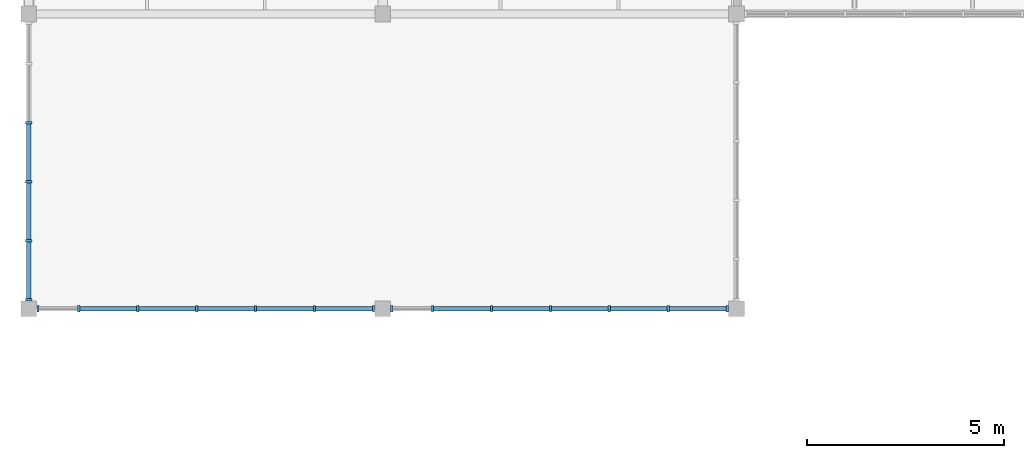
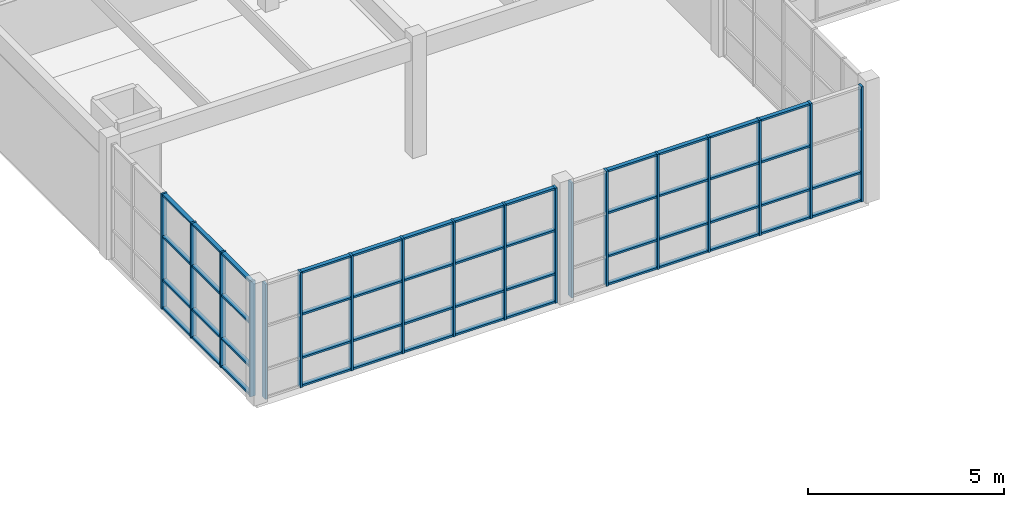
# One storey, part 24 of 81: 68 members, 3 elements without a shape of their own.
"""IFC4 building model written with IfcOpenShell, lengths in metres."""

import ifcopenshell
import ifcopenshell.guid

model = None  # the IFC model being written
_history = None  # IfcOwnerHistory: only IFC2X3 demands one
_inside = {}  # id of a spatial element -> (the spatial element, [elements in it])
_under = {}  # id of a project, library or spatial element -> (it, [spatial elements below it])
_declared = {}  # id of a project -> (the project, [libraries it declares])
_typed = {}  # id of a type object -> (the type object, [elements of that type])
_made_of = {}  # id of a material, layer set ... -> (it, [elements and type objects made of it])


def new_model(schema):
    """Start an empty IFC model of exactly this schema.

    Asked for "IFC4X3", IfcOpenShell would pick the latest addendum, in which some entities
    have other attributes; the version numbers below select the first issue.
    IFC2X3 requires an IfcOwnerHistory on every rooted entity: one is made here for all.
    """
    global model, _history
    if schema == "IFC4X3":
        model = ifcopenshell.file(schema_version=(4, 3, 0, 0))
    else:
        model = ifcopenshell.file(schema=schema)
    _inside.clear()
    _under.clear()
    _declared.clear()
    _typed.clear()
    _made_of.clear()
    _history = None
    if model.schema == "IFC2X3":
        org = make("IfcOrganization", Name="unknown")
        user = make(
            "IfcPersonAndOrganization",
            ThePerson=make("IfcPerson", FamilyName="unknown"),
            TheOrganization=org,
        )
        app = make(
            "IfcApplication",
            ApplicationDeveloper=org,
            Version="unknown",
            ApplicationFullName="unknown",
            ApplicationIdentifier="unknown",
        )
        _history = make(
            "IfcOwnerHistory",
            OwningUser=user,
            OwningApplication=app,
            ChangeAction="ADDED",
            CreationDate=0,
        )
    return model


def make(cls, **values):
    """One entity of the class cls with the attributes given. An attribute that is None is left unset."""
    return model.create_entity(
        cls, **{name: value for name, value in values.items() if value is not None}
    )


def rooted(cls, **values):
    """An entity with a GlobalId (a new one), such as an element, a storey or a relation."""
    return make(cls, GlobalId=ifcopenshell.guid.new(), OwnerHistory=_history, **values)


def si_unit(unit_type, name, prefix=None):
    """IfcSIUnit, for example si_unit("LENGTHUNIT", "METRE", prefix="MILLI")."""
    return make("IfcSIUnit", UnitType=unit_type, Prefix=prefix, Name=name)


def assignment(units):
    """IfcUnitAssignment: the units of a project."""
    return None if units is None else make("IfcUnitAssignment", Units=units)


def point(xyz):
    """IfcCartesianPoint."""
    return None if xyz is None else make("IfcCartesianPoint", Coordinates=xyz)


def direction(xyz):
    """IfcDirection."""
    return None if xyz is None else make("IfcDirection", DirectionRatios=xyz)


def frame(location, z_axis=None, x_axis=None):
    """IfcAxis2Placement3D, a coordinate frame: its origin and axes. An axis left out is left unset."""
    return make(
        "IfcAxis2Placement3D",
        Location=point(location),
        Axis=direction(z_axis),
        RefDirection=direction(x_axis),
    )


def frame_2d(location, x_axis=None):
    """IfcAxis2Placement2D, a coordinate frame in the plane: its origin and x axis."""
    return make(
        "IfcAxis2Placement2D", Location=point(location), RefDirection=direction(x_axis)
    )


def origin():
    """The frame at (0, 0, 0) with its axes left unset."""
    return frame((0.0, 0.0, 0.0))


def origin_2d():
    """The frame at (0, 0) in the plane with its x axis left unset."""
    return frame_2d((0.0, 0.0))


def place(relative_to, where):
    """IfcLocalPlacement: puts the frame where relative to a parent placement (None: the world)."""
    return make(
        "IfcLocalPlacement", PlacementRelTo=relative_to, RelativePlacement=where
    )


def context(
    kind, dimensions, precision=None, world=None, true_north=None, identifier=None
):
    """IfcGeometricRepresentationContext, for example the 3D "Model" context."""
    return make(
        "IfcGeometricRepresentationContext",
        ContextIdentifier=identifier,
        ContextType=kind,
        CoordinateSpaceDimension=dimensions,
        Precision=precision,
        WorldCoordinateSystem=world,
        TrueNorth=true_north,
    )


def subcontext(parent, identifier, kind, view, scale=None):
    """IfcGeometricRepresentationSubContext, for example "Body" below "Model"."""
    return make(
        "IfcGeometricRepresentationSubContext",
        ContextIdentifier=identifier,
        ContextType=kind,
        ParentContext=parent,
        TargetScale=scale,
        TargetView=view,
    )


def project(units=None, contexts=None):
    """IfcProject with its units and contexts."""
    return rooted(
        "IfcProject",
        Name="project",
        RepresentationContexts=contexts,
        UnitsInContext=assignment(units),
    )


def spatial(cls, under=None, at=None, **own):
    """A site, building, storey or space (cls), placed at a placement, below another one or the project."""
    s = rooted(cls, ObjectPlacement=at, **own)
    if under is not None:
        _under.setdefault(under.id(), (under, []))[1].append(s)
    return s


def profile(cls, at=None, kind="AREA", **sizes):
    """A parametric profile (cls). Its sizes go by their IFC names, for example OverallWidth=200.0."""
    return make(cls, ProfileType=kind, Position=at, **sizes)


def rectangle(**sizes):
    """IfcRectangleProfileDef."""
    return profile("IfcRectangleProfileDef", **sizes)


def extrude(swept, where, along, depth):
    """IfcExtrudedAreaSolid: the profile swept, set in the frame where, extruded along a direction by depth."""
    return make(
        "IfcExtrudedAreaSolid",
        SweptArea=swept,
        Position=where,
        ExtrudedDirection=direction(along),
        Depth=depth,
    )


def shape(context_of_items, identifier, shape_type, items):
    """IfcShapeRepresentation: the items that make up one representation, for example the "Body"."""
    return make(
        "IfcShapeRepresentation",
        ContextOfItems=context_of_items,
        RepresentationIdentifier=identifier,
        RepresentationType=shape_type,
        Items=items,
    )


def material(Name=None, Category=None):
    """IfcMaterial."""
    return make("IfcMaterial", Name=Name, Category=Category)


def layer(
    of_material, thickness, ventilated=None, Name=None, Category=None, Priority=None
):
    """IfcMaterialLayer: one layer of a wall or slab, of a material (None: an air gap)."""
    return make(
        "IfcMaterialLayer",
        Material=of_material,
        LayerThickness=thickness,
        IsVentilated=ventilated,
        Name=Name,
        Category=Category,
        Priority=Priority,
    )


def layer_set(layers, Name=None):
    """IfcMaterialLayerSet."""
    return make("IfcMaterialLayerSet", MaterialLayers=layers, LayerSetName=Name)


def material_profile(
    of_material, cross_section, Name=None, Category=None, Priority=None
):
    """IfcMaterialProfile: a cross section and its material."""
    return make(
        "IfcMaterialProfile",
        Name=Name,
        Material=of_material,
        Profile=cross_section,
        Priority=Priority,
        Category=Category,
    )


def profile_set(profiles, Name=None, composite=None):
    """IfcMaterialProfileSet."""
    return make(
        "IfcMaterialProfileSet",
        Name=Name,
        MaterialProfiles=profiles,
        CompositeProfile=composite,
    )


def made_of(thing, what):
    """Note that an element or type object is made of a material, layer set ...; save() writes the relation."""
    if what is not None:
        _made_of.setdefault(what.id(), (what, []))[1].append(thing)
    return thing


def type_object(cls, material=None, **own):
    """A type object (cls), such as IfcWallType, which elements share."""
    return made_of(rooted(cls, **own), material)


def element(
    cls,
    number,
    at=None,
    inside=None,
    cuts=None,
    type_object=None,
    material=None,
    context=None,
    identifier="Body",
    shape_type=None,
    held_by="IfcProductDefinitionShape",
    body=None,
    shapes=None,
    **own,
):
    """One element of the class cls, such as IfcWall. Its Tag is "e" and its number.

    at: its placement. inside: the storey or other place that contains it. cuts: it is an
    opening in that element (IfcRelVoidsElement). A single representation is given by context,
    identifier, shape_type and body (its items); several are given by shapes. held_by: the class
    of the entity that holds the representations. save() writes the other relations.
    """
    e = rooted(cls, Tag="e%d" % number, ObjectPlacement=at, **own)
    if body is not None:
        shapes = [shape(context, identifier, shape_type, body)]
    if shapes is not None:
        e.Representation = make(held_by, Representations=shapes)
    if inside is not None:
        _inside.setdefault(inside.id(), (inside, []))[1].append(e)
    if cuts is not None:
        rooted(
            "IfcRelVoidsElement", RelatingBuildingElement=cuts, RelatedOpeningElement=e
        )
    if type_object is not None:
        _typed.setdefault(type_object.id(), (type_object, []))[1].append(e)
    return made_of(e, material)


def aggregate(whole, parts):
    """IfcRelAggregates: a whole, such as a stair, and the parts it consists of."""
    return rooted("IfcRelAggregates", RelatingObject=whole, RelatedObjects=parts)


def save(model, path):
    """Write the relations noted so far, then the file.

    IfcRelAggregates (storeys below a building ...), IfcRelContainedInSpatialStructure (elements
    in a storey), IfcRelDefinesByType, IfcRelAssociatesMaterial and IfcRelDeclares: one each for
    every whole, place, type object, material and project.
    """
    for whole, parts in _under.values():
        aggregate(whole, parts)
    for where, things in _inside.values():
        rooted(
            "IfcRelContainedInSpatialStructure",
            RelatedElements=things,
            RelatingStructure=where,
        )
    for kind, things in _typed.values():
        rooted("IfcRelDefinesByType", RelatedObjects=things, RelatingType=kind)
    for what, things in _made_of.values():
        rooted("IfcRelAssociatesMaterial", RelatedObjects=things, RelatingMaterial=what)
    for by, libraries in _declared.values():
        rooted("IfcRelDeclares", RelatingContext=by, RelatedDefinitions=libraries)
    model.write(path)


model = new_model("IFC4")

# Units and contexts
model_context = context("Model", 3, precision=1e-05, world=origin(), true_north=direction((0.0, 1.0)))
body_context = subcontext(model_context, "Body", "Model", "MODEL_VIEW")
ifc_project = project(units=[si_unit("LENGTHUNIT", "METRE"), si_unit("AREAUNIT", "SQUARE_METRE"), si_unit("VOLUMEUNIT", "CUBIC_METRE"), si_unit("PLANEANGLEUNIT", "RADIAN"), si_unit("MASSUNIT", "GRAM", prefix="KILO")], contexts=[model_context])

# Site, building, storey
site_placement = place(None, origin())
site = spatial("IfcSite", under=ifc_project, at=site_placement, CompositionType="ELEMENT")
building_placement = place(site_placement, origin())
building = spatial("IfcBuilding", under=site, at=building_placement, Name="Marnridge Secondary College", CompositionType="ELEMENT")
storey_placement = place(building_placement, frame((0.0, 0.0, 8.5)))
storey = spatial("IfcBuildingStorey", under=building, at=storey_placement, Name="L02", CompositionType="ELEMENT", Elevation=8.5)

# Curtain wall, members
ifc_material_1 = material(Name="Thermally broken aluminium and low-E glazing", Category="aluminium")
ifc_layer = layer(ifc_material_1, 0.159912109375)
ifc_layer_set = layer_set([ifc_layer], Name="CW-MOD-1500")
curtain_wall_type = type_object("IfcCurtainWallType", Name="CW-MOD-1500", PredefinedType="NOTDEFINED", material=ifc_layer_set)
curtain_wall_1_placement = place(storey_placement, origin())
curtain_wall_1 = element("IfcCurtainWall", 1, at=curtain_wall_1_placement, inside=storey, type_object=curtain_wall_type, Name="Unitised curtain wall CW-L02-095", PredefinedType="NOTDEFINED")
ifc_material_2 = material(Name="Anodised aluminium 6063-T6", Category="aluminium")
ifc_material_profile_1 = material_profile(ifc_material_2, rectangle(XDim=0.06005859375, YDim=0.159912109375, at=origin_2d()), Name="ALU 60x160")
ifc_profile_set_1 = profile_set([ifc_material_profile_1], Name="Anodised aluminium 6063-T6")
member_type_1 = type_object("IfcMemberType", Name="CWM-ALU160", PredefinedType="MULLION", material=ifc_profile_set_1)
member_1_placement = place(storey_placement, frame((17.76611328125, 75.0, 0.0), z_axis=(0.0, 0.0, 1.0), x_axis=(-1.0, 0.0, 0.0)))
member_1 = element("IfcMember", 2, at=member_1_placement, type_object=member_type_1, Name="CW-L02-095 mullion 1", PredefinedType="MULLION", context=body_context, shape_type="SweptSolid", body=[
    extrude(rectangle(XDim=0.06005859375, YDim=0.159912109375, at=origin_2d()), origin(), (0.0, 0.0, 1.0), 3.580078125),
])
member_2_placement = place(storey_placement, frame((16.26611328125, 75.0, 0.0), z_axis=(0.0, 0.0, 1.0), x_axis=(-1.0, 0.0, 0.0)))
member_2 = element("IfcMember", 3, at=member_2_placement, type_object=member_type_1, Name="CW-L02-095 mullion 2", PredefinedType="MULLION", context=body_context, shape_type="SweptSolid", body=[
    extrude(rectangle(XDim=0.06005859375, YDim=0.159912109375, at=origin_2d()), origin(), (0.0, 0.0, 1.0), 3.580078125),
])
member_3_placement = place(storey_placement, frame((14.76611328125, 75.0, 0.0), z_axis=(0.0, 0.0, 1.0), x_axis=(-1.0, 0.0, 0.0)))
member_3 = element("IfcMember", 4, at=member_3_placement, type_object=member_type_1, Name="CW-L02-095 mullion 3", PredefinedType="MULLION", context=body_context, shape_type="SweptSolid", body=[
    extrude(rectangle(XDim=0.06005859375, YDim=0.159912109375, at=origin_2d()), origin(), (0.0, 0.0, 1.0), 3.580078125),
])
member_4_placement = place(storey_placement, frame((13.26611328125, 75.0, 0.0), z_axis=(0.0, 0.0, 1.0), x_axis=(-1.0, 0.0, 0.0)))
member_4 = element("IfcMember", 5, at=member_4_placement, type_object=member_type_1, Name="CW-L02-095 mullion 4", PredefinedType="MULLION", context=body_context, shape_type="SweptSolid", body=[
    extrude(rectangle(XDim=0.06005859375, YDim=0.159912109375, at=origin_2d()), origin(), (0.0, 0.0, 1.0), 3.580078125),
])
member_5_placement = place(storey_placement, frame((11.76611328125, 75.0, 0.0), z_axis=(0.0, 0.0, 1.0), x_axis=(-1.0, 0.0, 0.0)))
member_5 = element("IfcMember", 6, at=member_5_placement, type_object=member_type_1, Name="CW-L02-095 mullion 5", PredefinedType="MULLION", context=body_context, shape_type="SweptSolid", body=[
    extrude(rectangle(XDim=0.06005859375, YDim=0.159912109375, at=origin_2d()), origin(), (0.0, 0.0, 1.0), 3.580078125),
])
member_6_placement = place(storey_placement, frame((10.26611328125, 75.0, 0.0), z_axis=(0.0, 0.0, 1.0), x_axis=(-1.0, 0.0, 0.0)))
member_6 = element("IfcMember", 7, at=member_6_placement, type_object=member_type_1, Name="CW-L02-095 mullion 6", PredefinedType="MULLION", context=body_context, shape_type="SweptSolid", body=[
    extrude(rectangle(XDim=0.06005859375, YDim=0.159912109375, at=origin_2d()), origin(), (0.0, 0.0, 1.0), 3.580078125),
])
member_7_placement = place(storey_placement, frame((9.23388671875, 75.0, 0.0), z_axis=(0.0, 0.0, 1.0), x_axis=(-1.0, 0.0, 0.0)))
member_7 = element("IfcMember", 8, at=member_7_placement, type_object=member_type_1, Name="CW-L02-095 mullion 7", PredefinedType="MULLION", context=body_context, shape_type="SweptSolid", body=[
    extrude(rectangle(XDim=0.06005859375, YDim=0.159912109375, at=origin_2d()), origin(), (0.0, 0.0, 1.0), 3.580078125),
])

curtain_wall_2_placement = place(storey_placement, origin())
curtain_wall_2 = element("IfcCurtainWall", 9, at=curtain_wall_2_placement, inside=storey, type_object=curtain_wall_type, Name="Unitised curtain wall CW-L02-096", PredefinedType="NOTDEFINED")
member_8_placement = place(storey_placement, frame((8.76611328125, 75.0, 0.0), z_axis=(0.0, 0.0, 1.0), x_axis=(-1.0, 0.0, 0.0)))
member_8 = element("IfcMember", 10, at=member_8_placement, type_object=member_type_1, Name="CW-L02-096 mullion 1", PredefinedType="MULLION", context=body_context, shape_type="SweptSolid", body=[
    extrude(rectangle(XDim=0.06005859375, YDim=0.159912109375, at=origin_2d()), origin(), (0.0, 0.0, 1.0), 3.580078125),
])
member_9_placement = place(storey_placement, frame((7.26611328125, 75.0, 0.0), z_axis=(0.0, 0.0, 1.0), x_axis=(-1.0, 0.0, 0.0)))
member_9 = element("IfcMember", 11, at=member_9_placement, type_object=member_type_1, Name="CW-L02-096 mullion 2", PredefinedType="MULLION", context=body_context, shape_type="SweptSolid", body=[
    extrude(rectangle(XDim=0.06005859375, YDim=0.159912109375, at=origin_2d()), origin(), (0.0, 0.0, 1.0), 3.580078125),
])
member_10_placement = place(storey_placement, frame((5.76611328125, 75.0, 0.0), z_axis=(0.0, 0.0, 1.0), x_axis=(-1.0, 0.0, 0.0)))
member_10 = element("IfcMember", 12, at=member_10_placement, type_object=member_type_1, Name="CW-L02-096 mullion 3", PredefinedType="MULLION", context=body_context, shape_type="SweptSolid", body=[
    extrude(rectangle(XDim=0.06005859375, YDim=0.159912109375, at=origin_2d()), origin(), (0.0, 0.0, 1.0), 3.580078125),
])
member_11_placement = place(storey_placement, frame((4.26611328125, 75.0, 0.0), z_axis=(0.0, 0.0, 1.0), x_axis=(-1.0, 0.0, 0.0)))
member_11 = element("IfcMember", 13, at=member_11_placement, type_object=member_type_1, Name="CW-L02-096 mullion 4", PredefinedType="MULLION", context=body_context, shape_type="SweptSolid", body=[
    extrude(rectangle(XDim=0.06005859375, YDim=0.159912109375, at=origin_2d()), origin(), (0.0, 0.0, 1.0), 3.580078125),
])
member_12_placement = place(storey_placement, frame((2.76611328125, 75.0, 0.0), z_axis=(0.0, 0.0, 1.0), x_axis=(-1.0, 0.0, 0.0)))
member_12 = element("IfcMember", 14, at=member_12_placement, type_object=member_type_1, Name="CW-L02-096 mullion 5", PredefinedType="MULLION", context=body_context, shape_type="SweptSolid", body=[
    extrude(rectangle(XDim=0.06005859375, YDim=0.159912109375, at=origin_2d()), origin(), (0.0, 0.0, 1.0), 3.580078125),
])
member_13_placement = place(storey_placement, frame((1.26611328125, 75.0, 0.0), z_axis=(0.0, 0.0, 1.0), x_axis=(-1.0, 0.0, 0.0)))
member_13 = element("IfcMember", 15, at=member_13_placement, type_object=member_type_1, Name="CW-L02-096 mullion 6", PredefinedType="MULLION", context=body_context, shape_type="SweptSolid", body=[
    extrude(rectangle(XDim=0.06005859375, YDim=0.159912109375, at=origin_2d()), origin(), (0.0, 0.0, 1.0), 3.580078125),
])
member_14_placement = place(storey_placement, frame((0.23388671875, 75.0, 0.0), z_axis=(0.0, 0.0, 1.0), x_axis=(-1.0, 0.0, 0.0)))
member_14 = element("IfcMember", 16, at=member_14_placement, type_object=member_type_1, Name="CW-L02-096 mullion 7", PredefinedType="MULLION", context=body_context, shape_type="SweptSolid", body=[
    extrude(rectangle(XDim=0.06005859375, YDim=0.159912109375, at=origin_2d()), origin(), (0.0, 0.0, 1.0), 3.580078125),
])

curtain_wall_3_placement = place(storey_placement, origin())
curtain_wall_3 = element("IfcCurtainWall", 17, at=curtain_wall_3_placement, inside=storey, type_object=curtain_wall_type, Name="Unitised curtain wall CW-L02-097", PredefinedType="NOTDEFINED")
member_15_placement = place(storey_placement, frame((0.0, 75.23388671875, 0.0), z_axis=(0.0, 0.0, 1.0), x_axis=(0.0, 1.0, 0.0)))
member_15 = element("IfcMember", 18, at=member_15_placement, type_object=member_type_1, Name="CW-L02-097 mullion 1", PredefinedType="MULLION", context=body_context, shape_type="SweptSolid", body=[
    extrude(rectangle(XDim=0.06005859375, YDim=0.159912109375, at=origin_2d()), origin(), (0.0, 0.0, 1.0), 3.580078125),
])
member_16_placement = place(storey_placement, frame((0.0, 76.73388671875, 0.0), z_axis=(0.0, 0.0, 1.0), x_axis=(0.0, 1.0, 0.0)))
member_16 = element("IfcMember", 19, at=member_16_placement, type_object=member_type_1, Name="CW-L02-097 mullion 2", PredefinedType="MULLION", context=body_context, shape_type="SweptSolid", body=[
    extrude(rectangle(XDim=0.06005859375, YDim=0.159912109375, at=origin_2d()), origin(), (0.0, 0.0, 1.0), 3.580078125),
])
member_17_placement = place(storey_placement, frame((0.0, 78.23388671875, 0.0), z_axis=(0.0, 0.0, 1.0), x_axis=(0.0, 1.0, 0.0)))
member_17 = element("IfcMember", 20, at=member_17_placement, type_object=member_type_1, Name="CW-L02-097 mullion 3", PredefinedType="MULLION", context=body_context, shape_type="SweptSolid", body=[
    extrude(rectangle(XDim=0.06005859375, YDim=0.159912109375, at=origin_2d()), origin(), (0.0, 0.0, 1.0), 3.580078125),
])
member_18_placement = place(storey_placement, frame((0.0, 79.73388671875, 0.0), z_axis=(0.0, 0.0, 1.0), x_axis=(0.0, 1.0, 0.0)))
member_18 = element("IfcMember", 21, at=member_18_placement, type_object=member_type_1, Name="CW-L02-097 mullion 4", PredefinedType="MULLION", context=body_context, shape_type="SweptSolid", body=[
    extrude(rectangle(XDim=0.06005859375, YDim=0.159912109375, at=origin_2d()), origin(), (0.0, 0.0, 1.0), 3.580078125),
])

# Member
ifc_material_3 = material(Name="Anodised aluminium 6063-T6", Category="aluminium")
ifc_material_profile_2 = material_profile(ifc_material_3, rectangle(XDim=0.06005859375, YDim=0.1201171875, at=origin_2d()), Name="ALU 60x120")
ifc_profile_set_2 = profile_set([ifc_material_profile_2], Name="Anodised aluminium 6063-T6")
member_type_2 = type_object("IfcMemberType", Name="CWT-ALU120", PredefinedType="USERDEFINED", material=ifc_profile_set_2)
member_19_placement = place(storey_placement, frame((17.736083984375, 75.0, 0.030029296875), z_axis=(-1.0, 0.0, 0.0), x_axis=(0.0, 0.0, 1.0)))
member_19 = element("IfcMember", 22, at=member_19_placement, type_object=member_type_2, Name="CW-L02-095 transom 1.1", ObjectType="TRANSOM", PredefinedType="USERDEFINED", context=body_context, shape_type="SweptSolid", body=[
    extrude(rectangle(XDim=0.06005859375, YDim=0.1201171875, at=origin_2d()), origin(), (0.0, 0.0, 1.0), 1.440185546875),
])

member_20_placement = place(storey_placement, frame((17.736083984375, 75.0, 0.89990234375), z_axis=(-1.0, 0.0, 0.0), x_axis=(0.0, 0.0, 1.0)))
member_20 = element("IfcMember", 23, at=member_20_placement, type_object=member_type_2, Name="CW-L02-095 transom 1.2", ObjectType="TRANSOM", PredefinedType="USERDEFINED", context=body_context, shape_type="SweptSolid", body=[
    extrude(rectangle(XDim=0.06005859375, YDim=0.1201171875, at=origin_2d()), origin(), (0.0, 0.0, 1.0), 1.440185546875),
])

member_21_placement = place(storey_placement, frame((16.236083984375, 75.0, 0.030029296875), z_axis=(-1.0, 0.0, 0.0), x_axis=(0.0, 0.0, 1.0)))
member_21 = element("IfcMember", 24, at=member_21_placement, type_object=member_type_2, Name="CW-L02-095 transom 2.1", ObjectType="TRANSOM", PredefinedType="USERDEFINED", context=body_context, shape_type="SweptSolid", body=[
    extrude(rectangle(XDim=0.06005859375, YDim=0.1201171875, at=origin_2d()), origin(), (0.0, 0.0, 1.0), 1.440185546875),
])

member_22_placement = place(storey_placement, frame((16.236083984375, 75.0, 0.89990234375), z_axis=(-1.0, 0.0, 0.0), x_axis=(0.0, 0.0, 1.0)))
member_22 = element("IfcMember", 25, at=member_22_placement, type_object=member_type_2, Name="CW-L02-095 transom 2.2", ObjectType="TRANSOM", PredefinedType="USERDEFINED", context=body_context, shape_type="SweptSolid", body=[
    extrude(rectangle(XDim=0.06005859375, YDim=0.1201171875, at=origin_2d()), origin(), (0.0, 0.0, 1.0), 1.440185546875),
])

member_23_placement = place(storey_placement, frame((16.236083984375, 75.0, 2.25), z_axis=(-1.0, 0.0, 0.0), x_axis=(0.0, 0.0, 1.0)))
member_23 = element("IfcMember", 26, at=member_23_placement, type_object=member_type_2, Name="CW-L02-095 transom 2.3", ObjectType="TRANSOM", PredefinedType="USERDEFINED", context=body_context, shape_type="SweptSolid", body=[
    extrude(rectangle(XDim=0.06005859375, YDim=0.1201171875, at=origin_2d()), origin(), (0.0, 0.0, 1.0), 1.440185546875),
])

member_24_placement = place(storey_placement, frame((16.236083984375, 75.0, 3.550048828125), z_axis=(-1.0, 0.0, 0.0), x_axis=(0.0, 0.0, 1.0)))
member_24 = element("IfcMember", 27, at=member_24_placement, type_object=member_type_2, Name="CW-L02-095 transom 2.4", ObjectType="TRANSOM", PredefinedType="USERDEFINED", context=body_context, shape_type="SweptSolid", body=[
    extrude(rectangle(XDim=0.06005859375, YDim=0.1201171875, at=origin_2d()), origin(), (0.0, 0.0, 1.0), 1.440185546875),
])

member_25_placement = place(storey_placement, frame((14.736083984375, 75.0, 0.030029296875), z_axis=(-1.0, 0.0, 0.0), x_axis=(0.0, 0.0, 1.0)))
member_25 = element("IfcMember", 28, at=member_25_placement, type_object=member_type_2, Name="CW-L02-095 transom 3.1", ObjectType="TRANSOM", PredefinedType="USERDEFINED", context=body_context, shape_type="SweptSolid", body=[
    extrude(rectangle(XDim=0.06005859375, YDim=0.1201171875, at=origin_2d()), origin(), (0.0, 0.0, 1.0), 1.440185546875),
])

member_26_placement = place(storey_placement, frame((14.736083984375, 75.0, 0.89990234375), z_axis=(-1.0, 0.0, 0.0), x_axis=(0.0, 0.0, 1.0)))
member_26 = element("IfcMember", 29, at=member_26_placement, type_object=member_type_2, Name="CW-L02-095 transom 3.2", ObjectType="TRANSOM", PredefinedType="USERDEFINED", context=body_context, shape_type="SweptSolid", body=[
    extrude(rectangle(XDim=0.06005859375, YDim=0.1201171875, at=origin_2d()), origin(), (0.0, 0.0, 1.0), 1.440185546875),
])

member_27_placement = place(storey_placement, frame((14.736083984375, 75.0, 2.25), z_axis=(-1.0, 0.0, 0.0), x_axis=(0.0, 0.0, 1.0)))
member_27 = element("IfcMember", 30, at=member_27_placement, type_object=member_type_2, Name="CW-L02-095 transom 3.3", ObjectType="TRANSOM", PredefinedType="USERDEFINED", context=body_context, shape_type="SweptSolid", body=[
    extrude(rectangle(XDim=0.06005859375, YDim=0.1201171875, at=origin_2d()), origin(), (0.0, 0.0, 1.0), 1.440185546875),
])

member_28_placement = place(storey_placement, frame((14.736083984375, 75.0, 3.550048828125), z_axis=(-1.0, 0.0, 0.0), x_axis=(0.0, 0.0, 1.0)))
member_28 = element("IfcMember", 31, at=member_28_placement, type_object=member_type_2, Name="CW-L02-095 transom 3.4", ObjectType="TRANSOM", PredefinedType="USERDEFINED", context=body_context, shape_type="SweptSolid", body=[
    extrude(rectangle(XDim=0.06005859375, YDim=0.1201171875, at=origin_2d()), origin(), (0.0, 0.0, 1.0), 1.440185546875),
])

member_29_placement = place(storey_placement, frame((13.236083984375, 75.0, 0.030029296875), z_axis=(-1.0, 0.0, 0.0), x_axis=(0.0, 0.0, 1.0)))
member_29 = element("IfcMember", 32, at=member_29_placement, type_object=member_type_2, Name="CW-L02-095 transom 4.1", ObjectType="TRANSOM", PredefinedType="USERDEFINED", context=body_context, shape_type="SweptSolid", body=[
    extrude(rectangle(XDim=0.06005859375, YDim=0.1201171875, at=origin_2d()), origin(), (0.0, 0.0, 1.0), 1.440185546875),
])

member_30_placement = place(storey_placement, frame((13.236083984375, 75.0, 0.89990234375), z_axis=(-1.0, 0.0, 0.0), x_axis=(0.0, 0.0, 1.0)))
member_30 = element("IfcMember", 33, at=member_30_placement, type_object=member_type_2, Name="CW-L02-095 transom 4.2", ObjectType="TRANSOM", PredefinedType="USERDEFINED", context=body_context, shape_type="SweptSolid", body=[
    extrude(rectangle(XDim=0.06005859375, YDim=0.1201171875, at=origin_2d()), origin(), (0.0, 0.0, 1.0), 1.440185546875),
])

member_31_placement = place(storey_placement, frame((13.236083984375, 75.0, 2.25), z_axis=(-1.0, 0.0, 0.0), x_axis=(0.0, 0.0, 1.0)))
member_31 = element("IfcMember", 34, at=member_31_placement, type_object=member_type_2, Name="CW-L02-095 transom 4.3", ObjectType="TRANSOM", PredefinedType="USERDEFINED", context=body_context, shape_type="SweptSolid", body=[
    extrude(rectangle(XDim=0.06005859375, YDim=0.1201171875, at=origin_2d()), origin(), (0.0, 0.0, 1.0), 1.440185546875),
])

member_32_placement = place(storey_placement, frame((13.236083984375, 75.0, 3.550048828125), z_axis=(-1.0, 0.0, 0.0), x_axis=(0.0, 0.0, 1.0)))
member_32 = element("IfcMember", 35, at=member_32_placement, type_object=member_type_2, Name="CW-L02-095 transom 4.4", ObjectType="TRANSOM", PredefinedType="USERDEFINED", context=body_context, shape_type="SweptSolid", body=[
    extrude(rectangle(XDim=0.06005859375, YDim=0.1201171875, at=origin_2d()), origin(), (0.0, 0.0, 1.0), 1.440185546875),
])

member_33_placement = place(storey_placement, frame((11.736083984375, 75.0, 0.030029296875), z_axis=(-1.0, 0.0, 0.0), x_axis=(0.0, 0.0, 1.0)))
member_33 = element("IfcMember", 36, at=member_33_placement, type_object=member_type_2, Name="CW-L02-095 transom 5.1", ObjectType="TRANSOM", PredefinedType="USERDEFINED", context=body_context, shape_type="SweptSolid", body=[
    extrude(rectangle(XDim=0.06005859375, YDim=0.1201171875, at=origin_2d()), origin(), (0.0, 0.0, 1.0), 1.440185546875),
])

member_34_placement = place(storey_placement, frame((11.736083984375, 75.0, 0.89990234375), z_axis=(-1.0, 0.0, 0.0), x_axis=(0.0, 0.0, 1.0)))
member_34 = element("IfcMember", 37, at=member_34_placement, type_object=member_type_2, Name="CW-L02-095 transom 5.2", ObjectType="TRANSOM", PredefinedType="USERDEFINED", context=body_context, shape_type="SweptSolid", body=[
    extrude(rectangle(XDim=0.06005859375, YDim=0.1201171875, at=origin_2d()), origin(), (0.0, 0.0, 1.0), 1.440185546875),
])

member_35_placement = place(storey_placement, frame((11.736083984375, 75.0, 2.25), z_axis=(-1.0, 0.0, 0.0), x_axis=(0.0, 0.0, 1.0)))
member_35 = element("IfcMember", 38, at=member_35_placement, type_object=member_type_2, Name="CW-L02-095 transom 5.3", ObjectType="TRANSOM", PredefinedType="USERDEFINED", context=body_context, shape_type="SweptSolid", body=[
    extrude(rectangle(XDim=0.06005859375, YDim=0.1201171875, at=origin_2d()), origin(), (0.0, 0.0, 1.0), 1.440185546875),
])

member_36_placement = place(storey_placement, frame((11.736083984375, 75.0, 3.550048828125), z_axis=(-1.0, 0.0, 0.0), x_axis=(0.0, 0.0, 1.0)))
member_36 = element("IfcMember", 39, at=member_36_placement, type_object=member_type_2, Name="CW-L02-095 transom 5.4", ObjectType="TRANSOM", PredefinedType="USERDEFINED", context=body_context, shape_type="SweptSolid", body=[
    extrude(rectangle(XDim=0.06005859375, YDim=0.1201171875, at=origin_2d()), origin(), (0.0, 0.0, 1.0), 1.440185546875),
])

aggregate(curtain_wall_1, [member_1, member_2, member_3, member_4, member_5, member_6, member_7, member_19, member_20, member_21, member_22, member_23, member_24, member_25, member_26, member_27, member_28, member_29, member_30, member_31, member_32, member_33, member_34, member_35, member_36])

member_37_placement = place(storey_placement, frame((8.736083984375, 75.0, 0.030029296875), z_axis=(-1.0, 0.0, 0.0), x_axis=(0.0, 0.0, 1.0)))
member_37 = element("IfcMember", 40, at=member_37_placement, type_object=member_type_2, Name="CW-L02-096 transom 1.1", ObjectType="TRANSOM", PredefinedType="USERDEFINED", context=body_context, shape_type="SweptSolid", body=[
    extrude(rectangle(XDim=0.06005859375, YDim=0.1201171875, at=origin_2d()), origin(), (0.0, 0.0, 1.0), 1.440185546875),
])

member_38_placement = place(storey_placement, frame((8.736083984375, 75.0, 0.89990234375), z_axis=(-1.0, 0.0, 0.0), x_axis=(0.0, 0.0, 1.0)))
member_38 = element("IfcMember", 41, at=member_38_placement, type_object=member_type_2, Name="CW-L02-096 transom 1.2", ObjectType="TRANSOM", PredefinedType="USERDEFINED", context=body_context, shape_type="SweptSolid", body=[
    extrude(rectangle(XDim=0.06005859375, YDim=0.1201171875, at=origin_2d()), origin(), (0.0, 0.0, 1.0), 1.440185546875),
])

member_39_placement = place(storey_placement, frame((8.736083984375, 75.0, 2.25), z_axis=(-1.0, 0.0, 0.0), x_axis=(0.0, 0.0, 1.0)))
member_39 = element("IfcMember", 42, at=member_39_placement, type_object=member_type_2, Name="CW-L02-096 transom 1.3", ObjectType="TRANSOM", PredefinedType="USERDEFINED", context=body_context, shape_type="SweptSolid", body=[
    extrude(rectangle(XDim=0.06005859375, YDim=0.1201171875, at=origin_2d()), origin(), (0.0, 0.0, 1.0), 1.440185546875),
])

member_40_placement = place(storey_placement, frame((8.736083984375, 75.0, 3.550048828125), z_axis=(-1.0, 0.0, 0.0), x_axis=(0.0, 0.0, 1.0)))
member_40 = element("IfcMember", 43, at=member_40_placement, type_object=member_type_2, Name="CW-L02-096 transom 1.4", ObjectType="TRANSOM", PredefinedType="USERDEFINED", context=body_context, shape_type="SweptSolid", body=[
    extrude(rectangle(XDim=0.06005859375, YDim=0.1201171875, at=origin_2d()), origin(), (0.0, 0.0, 1.0), 1.440185546875),
])

member_41_placement = place(storey_placement, frame((7.236083984375, 75.0, 0.030029296875), z_axis=(-1.0, 0.0, 0.0), x_axis=(0.0, 0.0, 1.0)))
member_41 = element("IfcMember", 44, at=member_41_placement, type_object=member_type_2, Name="CW-L02-096 transom 2.1", ObjectType="TRANSOM", PredefinedType="USERDEFINED", context=body_context, shape_type="SweptSolid", body=[
    extrude(rectangle(XDim=0.06005859375, YDim=0.1201171875, at=origin_2d()), origin(), (0.0, 0.0, 1.0), 1.440185546875),
])

member_42_placement = place(storey_placement, frame((7.236083984375, 75.0, 0.89990234375), z_axis=(-1.0, 0.0, 0.0), x_axis=(0.0, 0.0, 1.0)))
member_42 = element("IfcMember", 45, at=member_42_placement, type_object=member_type_2, Name="CW-L02-096 transom 2.2", ObjectType="TRANSOM", PredefinedType="USERDEFINED", context=body_context, shape_type="SweptSolid", body=[
    extrude(rectangle(XDim=0.06005859375, YDim=0.1201171875, at=origin_2d()), origin(), (0.0, 0.0, 1.0), 1.440185546875),
])

member_43_placement = place(storey_placement, frame((7.236083984375, 75.0, 2.25), z_axis=(-1.0, 0.0, 0.0), x_axis=(0.0, 0.0, 1.0)))
member_43 = element("IfcMember", 46, at=member_43_placement, type_object=member_type_2, Name="CW-L02-096 transom 2.3", ObjectType="TRANSOM", PredefinedType="USERDEFINED", context=body_context, shape_type="SweptSolid", body=[
    extrude(rectangle(XDim=0.06005859375, YDim=0.1201171875, at=origin_2d()), origin(), (0.0, 0.0, 1.0), 1.440185546875),
])

member_44_placement = place(storey_placement, frame((7.236083984375, 75.0, 3.550048828125), z_axis=(-1.0, 0.0, 0.0), x_axis=(0.0, 0.0, 1.0)))
member_44 = element("IfcMember", 47, at=member_44_placement, type_object=member_type_2, Name="CW-L02-096 transom 2.4", ObjectType="TRANSOM", PredefinedType="USERDEFINED", context=body_context, shape_type="SweptSolid", body=[
    extrude(rectangle(XDim=0.06005859375, YDim=0.1201171875, at=origin_2d()), origin(), (0.0, 0.0, 1.0), 1.440185546875),
])

member_45_placement = place(storey_placement, frame((5.736083984375, 75.0, 0.030029296875), z_axis=(-1.0, 0.0, 0.0), x_axis=(0.0, 0.0, 1.0)))
member_45 = element("IfcMember", 48, at=member_45_placement, type_object=member_type_2, Name="CW-L02-096 transom 3.1", ObjectType="TRANSOM", PredefinedType="USERDEFINED", context=body_context, shape_type="SweptSolid", body=[
    extrude(rectangle(XDim=0.06005859375, YDim=0.1201171875, at=origin_2d()), origin(), (0.0, 0.0, 1.0), 1.440185546875),
])

member_46_placement = place(storey_placement, frame((5.736083984375, 75.0, 0.89990234375), z_axis=(-1.0, 0.0, 0.0), x_axis=(0.0, 0.0, 1.0)))
member_46 = element("IfcMember", 49, at=member_46_placement, type_object=member_type_2, Name="CW-L02-096 transom 3.2", ObjectType="TRANSOM", PredefinedType="USERDEFINED", context=body_context, shape_type="SweptSolid", body=[
    extrude(rectangle(XDim=0.06005859375, YDim=0.1201171875, at=origin_2d()), origin(), (0.0, 0.0, 1.0), 1.440185546875),
])

member_47_placement = place(storey_placement, frame((5.736083984375, 75.0, 2.25), z_axis=(-1.0, 0.0, 0.0), x_axis=(0.0, 0.0, 1.0)))
member_47 = element("IfcMember", 50, at=member_47_placement, type_object=member_type_2, Name="CW-L02-096 transom 3.3", ObjectType="TRANSOM", PredefinedType="USERDEFINED", context=body_context, shape_type="SweptSolid", body=[
    extrude(rectangle(XDim=0.06005859375, YDim=0.1201171875, at=origin_2d()), origin(), (0.0, 0.0, 1.0), 1.440185546875),
])

member_48_placement = place(storey_placement, frame((5.736083984375, 75.0, 3.550048828125), z_axis=(-1.0, 0.0, 0.0), x_axis=(0.0, 0.0, 1.0)))
member_48 = element("IfcMember", 51, at=member_48_placement, type_object=member_type_2, Name="CW-L02-096 transom 3.4", ObjectType="TRANSOM", PredefinedType="USERDEFINED", context=body_context, shape_type="SweptSolid", body=[
    extrude(rectangle(XDim=0.06005859375, YDim=0.1201171875, at=origin_2d()), origin(), (0.0, 0.0, 1.0), 1.440185546875),
])

member_49_placement = place(storey_placement, frame((4.236083984375, 75.0, 0.030029296875), z_axis=(-1.0, 0.0, 0.0), x_axis=(0.0, 0.0, 1.0)))
member_49 = element("IfcMember", 52, at=member_49_placement, type_object=member_type_2, Name="CW-L02-096 transom 4.1", ObjectType="TRANSOM", PredefinedType="USERDEFINED", context=body_context, shape_type="SweptSolid", body=[
    extrude(rectangle(XDim=0.06005859375, YDim=0.1201171875, at=origin_2d()), origin(), (0.0, 0.0, 1.0), 1.440185546875),
])

member_50_placement = place(storey_placement, frame((4.236083984375, 75.0, 0.89990234375), z_axis=(-1.0, 0.0, 0.0), x_axis=(0.0, 0.0, 1.0)))
member_50 = element("IfcMember", 53, at=member_50_placement, type_object=member_type_2, Name="CW-L02-096 transom 4.2", ObjectType="TRANSOM", PredefinedType="USERDEFINED", context=body_context, shape_type="SweptSolid", body=[
    extrude(rectangle(XDim=0.06005859375, YDim=0.1201171875, at=origin_2d()), origin(), (0.0, 0.0, 1.0), 1.440185546875),
])

member_51_placement = place(storey_placement, frame((4.236083984375, 75.0, 2.25), z_axis=(-1.0, 0.0, 0.0), x_axis=(0.0, 0.0, 1.0)))
member_51 = element("IfcMember", 54, at=member_51_placement, type_object=member_type_2, Name="CW-L02-096 transom 4.3", ObjectType="TRANSOM", PredefinedType="USERDEFINED", context=body_context, shape_type="SweptSolid", body=[
    extrude(rectangle(XDim=0.06005859375, YDim=0.1201171875, at=origin_2d()), origin(), (0.0, 0.0, 1.0), 1.440185546875),
])

member_52_placement = place(storey_placement, frame((4.236083984375, 75.0, 3.550048828125), z_axis=(-1.0, 0.0, 0.0), x_axis=(0.0, 0.0, 1.0)))
member_52 = element("IfcMember", 55, at=member_52_placement, type_object=member_type_2, Name="CW-L02-096 transom 4.4", ObjectType="TRANSOM", PredefinedType="USERDEFINED", context=body_context, shape_type="SweptSolid", body=[
    extrude(rectangle(XDim=0.06005859375, YDim=0.1201171875, at=origin_2d()), origin(), (0.0, 0.0, 1.0), 1.440185546875),
])

member_53_placement = place(storey_placement, frame((2.736083984375, 75.0, 0.030029296875), z_axis=(-1.0, 0.0, 0.0), x_axis=(0.0, 0.0, 1.0)))
member_53 = element("IfcMember", 56, at=member_53_placement, type_object=member_type_2, Name="CW-L02-096 transom 5.1", ObjectType="TRANSOM", PredefinedType="USERDEFINED", context=body_context, shape_type="SweptSolid", body=[
    extrude(rectangle(XDim=0.06005859375, YDim=0.1201171875, at=origin_2d()), origin(), (0.0, 0.0, 1.0), 1.440185546875),
])

member_54_placement = place(storey_placement, frame((2.736083984375, 75.0, 0.89990234375), z_axis=(-1.0, 0.0, 0.0), x_axis=(0.0, 0.0, 1.0)))
member_54 = element("IfcMember", 57, at=member_54_placement, type_object=member_type_2, Name="CW-L02-096 transom 5.2", ObjectType="TRANSOM", PredefinedType="USERDEFINED", context=body_context, shape_type="SweptSolid", body=[
    extrude(rectangle(XDim=0.06005859375, YDim=0.1201171875, at=origin_2d()), origin(), (0.0, 0.0, 1.0), 1.440185546875),
])

member_55_placement = place(storey_placement, frame((2.736083984375, 75.0, 2.25), z_axis=(-1.0, 0.0, 0.0), x_axis=(0.0, 0.0, 1.0)))
member_55 = element("IfcMember", 58, at=member_55_placement, type_object=member_type_2, Name="CW-L02-096 transom 5.3", ObjectType="TRANSOM", PredefinedType="USERDEFINED", context=body_context, shape_type="SweptSolid", body=[
    extrude(rectangle(XDim=0.06005859375, YDim=0.1201171875, at=origin_2d()), origin(), (0.0, 0.0, 1.0), 1.440185546875),
])

member_56_placement = place(storey_placement, frame((2.736083984375, 75.0, 3.550048828125), z_axis=(-1.0, 0.0, 0.0), x_axis=(0.0, 0.0, 1.0)))
member_56 = element("IfcMember", 59, at=member_56_placement, type_object=member_type_2, Name="CW-L02-096 transom 5.4", ObjectType="TRANSOM", PredefinedType="USERDEFINED", context=body_context, shape_type="SweptSolid", body=[
    extrude(rectangle(XDim=0.06005859375, YDim=0.1201171875, at=origin_2d()), origin(), (0.0, 0.0, 1.0), 1.440185546875),
])

aggregate(curtain_wall_2, [member_8, member_9, member_10, member_11, member_12, member_13, member_14, member_37, member_38, member_39, member_40, member_41, member_42, member_43, member_44, member_45, member_46, member_47, member_48, member_49, member_50, member_51, member_52, member_53, member_54, member_55, member_56])

member_57_placement = place(storey_placement, frame((0.0, 75.263916015625, 0.030029296875), z_axis=(0.0, 1.0, 0.0), x_axis=(0.0, 0.0, 1.0)))
member_57 = element("IfcMember", 60, at=member_57_placement, type_object=member_type_2, Name="CW-L02-097 transom 1.1", ObjectType="TRANSOM", PredefinedType="USERDEFINED", context=body_context, shape_type="SweptSolid", body=[
    extrude(rectangle(XDim=0.06005859375, YDim=0.1201171875, at=origin_2d()), origin(), (0.0, 0.0, 1.0), 1.440185546875),
])

member_58_placement = place(storey_placement, frame((0.0, 75.263916015625, 0.89990234375), z_axis=(0.0, 1.0, 0.0), x_axis=(0.0, 0.0, 1.0)))
member_58 = element("IfcMember", 61, at=member_58_placement, type_object=member_type_2, Name="CW-L02-097 transom 1.2", ObjectType="TRANSOM", PredefinedType="USERDEFINED", context=body_context, shape_type="SweptSolid", body=[
    extrude(rectangle(XDim=0.06005859375, YDim=0.1201171875, at=origin_2d()), origin(), (0.0, 0.0, 1.0), 1.440185546875),
])

member_59_placement = place(storey_placement, frame((0.0, 75.263916015625, 2.25), z_axis=(0.0, 1.0, 0.0), x_axis=(0.0, 0.0, 1.0)))
member_59 = element("IfcMember", 62, at=member_59_placement, type_object=member_type_2, Name="CW-L02-097 transom 1.3", ObjectType="TRANSOM", PredefinedType="USERDEFINED", context=body_context, shape_type="SweptSolid", body=[
    extrude(rectangle(XDim=0.06005859375, YDim=0.1201171875, at=origin_2d()), origin(), (0.0, 0.0, 1.0), 1.440185546875),
])

member_60_placement = place(storey_placement, frame((0.0, 75.263916015625, 3.550048828125), z_axis=(0.0, 1.0, 0.0), x_axis=(0.0, 0.0, 1.0)))
member_60 = element("IfcMember", 63, at=member_60_placement, type_object=member_type_2, Name="CW-L02-097 transom 1.4", ObjectType="TRANSOM", PredefinedType="USERDEFINED", context=body_context, shape_type="SweptSolid", body=[
    extrude(rectangle(XDim=0.06005859375, YDim=0.1201171875, at=origin_2d()), origin(), (0.0, 0.0, 1.0), 1.440185546875),
])

member_61_placement = place(storey_placement, frame((0.0, 76.763916015625, 0.030029296875), z_axis=(0.0, 1.0, 0.0), x_axis=(0.0, 0.0, 1.0)))
member_61 = element("IfcMember", 64, at=member_61_placement, type_object=member_type_2, Name="CW-L02-097 transom 2.1", ObjectType="TRANSOM", PredefinedType="USERDEFINED", context=body_context, shape_type="SweptSolid", body=[
    extrude(rectangle(XDim=0.06005859375, YDim=0.1201171875, at=origin_2d()), origin(), (0.0, 0.0, 1.0), 1.440185546875),
])

member_62_placement = place(storey_placement, frame((0.0, 76.763916015625, 0.89990234375), z_axis=(0.0, 1.0, 0.0), x_axis=(0.0, 0.0, 1.0)))
member_62 = element("IfcMember", 65, at=member_62_placement, type_object=member_type_2, Name="CW-L02-097 transom 2.2", ObjectType="TRANSOM", PredefinedType="USERDEFINED", context=body_context, shape_type="SweptSolid", body=[
    extrude(rectangle(XDim=0.06005859375, YDim=0.1201171875, at=origin_2d()), origin(), (0.0, 0.0, 1.0), 1.440185546875),
])

member_63_placement = place(storey_placement, frame((0.0, 76.763916015625, 2.25), z_axis=(0.0, 1.0, 0.0), x_axis=(0.0, 0.0, 1.0)))
member_63 = element("IfcMember", 66, at=member_63_placement, type_object=member_type_2, Name="CW-L02-097 transom 2.3", ObjectType="TRANSOM", PredefinedType="USERDEFINED", context=body_context, shape_type="SweptSolid", body=[
    extrude(rectangle(XDim=0.06005859375, YDim=0.1201171875, at=origin_2d()), origin(), (0.0, 0.0, 1.0), 1.440185546875),
])

member_64_placement = place(storey_placement, frame((0.0, 76.763916015625, 3.550048828125), z_axis=(0.0, 1.0, 0.0), x_axis=(0.0, 0.0, 1.0)))
member_64 = element("IfcMember", 67, at=member_64_placement, type_object=member_type_2, Name="CW-L02-097 transom 2.4", ObjectType="TRANSOM", PredefinedType="USERDEFINED", context=body_context, shape_type="SweptSolid", body=[
    extrude(rectangle(XDim=0.06005859375, YDim=0.1201171875, at=origin_2d()), origin(), (0.0, 0.0, 1.0), 1.440185546875),
])

member_65_placement = place(storey_placement, frame((0.0, 78.263916015625, 0.030029296875), z_axis=(0.0, 1.0, 0.0), x_axis=(0.0, 0.0, 1.0)))
member_65 = element("IfcMember", 68, at=member_65_placement, type_object=member_type_2, Name="CW-L02-097 transom 3.1", ObjectType="TRANSOM", PredefinedType="USERDEFINED", context=body_context, shape_type="SweptSolid", body=[
    extrude(rectangle(XDim=0.06005859375, YDim=0.1201171875, at=origin_2d()), origin(), (0.0, 0.0, 1.0), 1.440185546875),
])

member_66_placement = place(storey_placement, frame((0.0, 78.263916015625, 0.89990234375), z_axis=(0.0, 1.0, 0.0), x_axis=(0.0, 0.0, 1.0)))
member_66 = element("IfcMember", 69, at=member_66_placement, type_object=member_type_2, Name="CW-L02-097 transom 3.2", ObjectType="TRANSOM", PredefinedType="USERDEFINED", context=body_context, shape_type="SweptSolid", body=[
    extrude(rectangle(XDim=0.06005859375, YDim=0.1201171875, at=origin_2d()), origin(), (0.0, 0.0, 1.0), 1.440185546875),
])

member_67_placement = place(storey_placement, frame((0.0, 78.263916015625, 2.25), z_axis=(0.0, 1.0, 0.0), x_axis=(0.0, 0.0, 1.0)))
member_67 = element("IfcMember", 70, at=member_67_placement, type_object=member_type_2, Name="CW-L02-097 transom 3.3", ObjectType="TRANSOM", PredefinedType="USERDEFINED", context=body_context, shape_type="SweptSolid", body=[
    extrude(rectangle(XDim=0.06005859375, YDim=0.1201171875, at=origin_2d()), origin(), (0.0, 0.0, 1.0), 1.440185546875),
])

member_68_placement = place(storey_placement, frame((0.0, 78.263916015625, 3.550048828125), z_axis=(0.0, 1.0, 0.0), x_axis=(0.0, 0.0, 1.0)))
member_68 = element("IfcMember", 71, at=member_68_placement, type_object=member_type_2, Name="CW-L02-097 transom 3.4", ObjectType="TRANSOM", PredefinedType="USERDEFINED", context=body_context, shape_type="SweptSolid", body=[
    extrude(rectangle(XDim=0.06005859375, YDim=0.1201171875, at=origin_2d()), origin(), (0.0, 0.0, 1.0), 1.440185546875),
])

aggregate(curtain_wall_3, [member_15, member_16, member_17, member_18, member_57, member_58, member_59, member_60, member_61, member_62, member_63, member_64, member_65, member_66, member_67, member_68])

save(model, "model.ifc")
